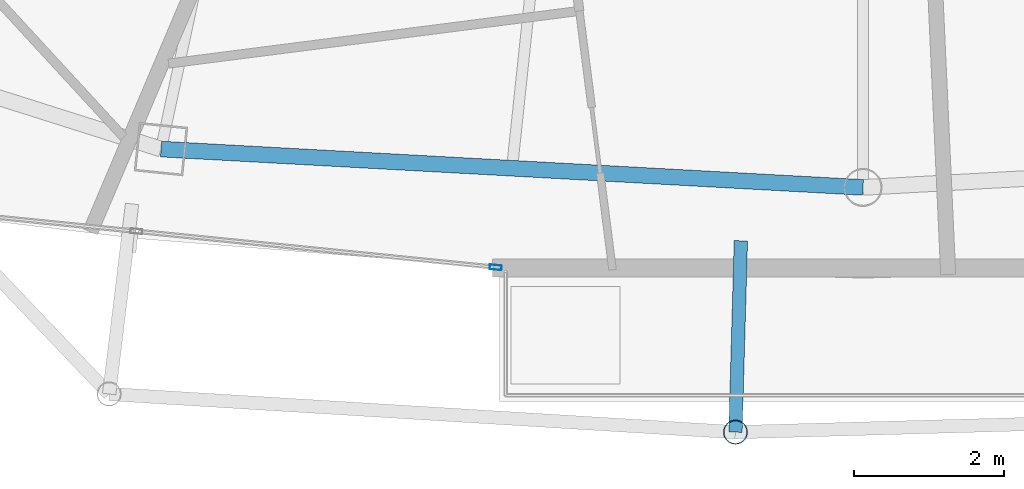
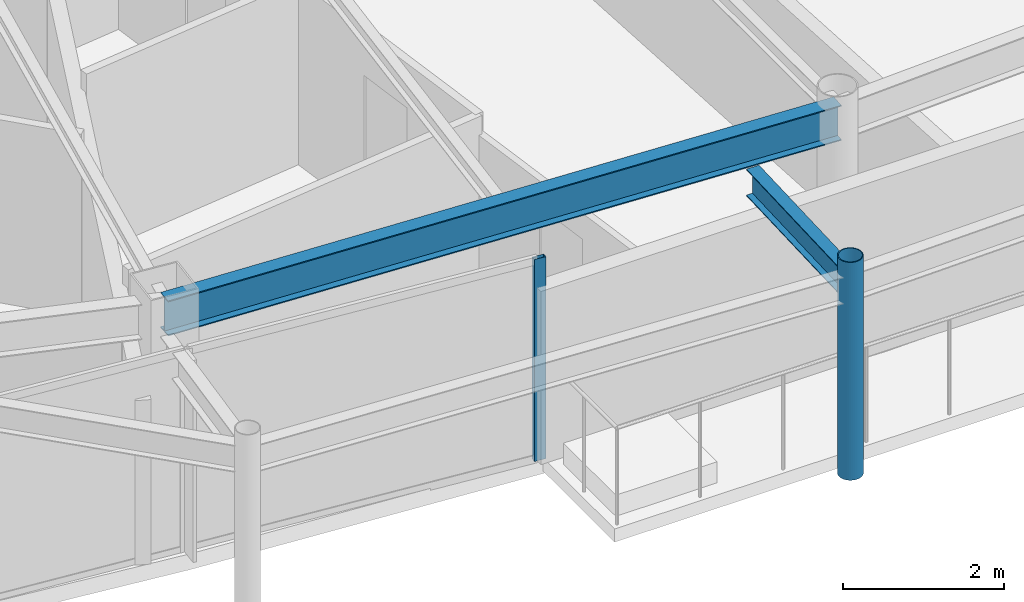
# One storey, part 7 of 30: 2 beams, 2 members, 1 element without a shape of its own.
"""IFC4 building model written with IfcOpenShell, lengths in metres."""

from ifc_helpers import new_model, si_unit, direction, frame, origin, origin_2d, place, context, subcontext, project, spatial, hollow_rectangle, hollow_circle, i_section, extrude, material, layer, layer_set, material_profile, profile_set, type_object, element, aggregate, save


model = new_model("IFC4")

# Units and contexts
model_context = context("Model", 3, precision=1e-05, world=origin(), true_north=direction((0.0, 1.0)))
body_context = subcontext(model_context, "Body", "Model", "MODEL_VIEW")
ifc_project = project(units=[si_unit("LENGTHUNIT", "METRE"), si_unit("AREAUNIT", "SQUARE_METRE"), si_unit("VOLUMEUNIT", "CUBIC_METRE"), si_unit("PLANEANGLEUNIT", "RADIAN"), si_unit("MASSUNIT", "GRAM", prefix="KILO")], contexts=[model_context])

# Site, building, storey
site_placement = place(None, origin())
site = spatial("IfcSite", under=ifc_project, at=site_placement, CompositionType="ELEMENT")
building_placement = place(site_placement, origin())
building = spatial("IfcBuilding", under=site, at=building_placement, Name="Orvanel Arch Residences", CompositionType="ELEMENT")
storey_placement = place(building_placement, frame((0.0, 0.0, 270.050048828125)))
storey = spatial("IfcBuildingStorey", under=building, at=storey_placement, Name="L77", CompositionType="ELEMENT", Elevation=270.050048828125)

# Curtain wall, member
ifc_material_1 = material(Name="Bronze-anodised aluminium AA6063-T6", Category="aluminium")
ifc_layer = layer(ifc_material_1, 0.175048828125)
ifc_layer_set = layer_set([ifc_layer], Name="Bronze-anodised aluminium AA6063-T6")
curtain_wall_type = type_object("IfcCurtainWallType", Name="CW4-HI-SYS", PredefinedType="NOTDEFINED", material=ifc_layer_set)
curtain_wall_placement = place(storey_placement, origin())
curtain_wall = element("IfcCurtainWall", 1, at=curtain_wall_placement, inside=storey, type_object=curtain_wall_type, Name="L77 CW4-HI-SYS Unitised Curtain Wall", PredefinedType="NOTDEFINED")
ifc_material_profile_1 = material_profile(ifc_material_1, hollow_rectangle(XDim=0.06494140625, YDim=0.159912109375, WallThickness=0.00390625, at=origin_2d()), Name="ALU160x65x4")
ifc_profile_set_1 = profile_set([ifc_material_profile_1], Name="Bronze-anodised aluminium AA6063-T6")
member_type_1 = type_object("IfcMemberType", Name="MUL-160x65", PredefinedType="MULLION", material=ifc_profile_set_1)
member_1_placement = place(storey_placement, frame((28.107666015625, 5.779296875, 0.0), z_axis=(0.0, 0.0, 1.0), x_axis=(0.100004397711, 0.99498699511, 0.0)))
member_1 = element("IfcMember", 2, at=member_1_placement, type_object=member_type_1, Name="CW-S4 mullion 3", PredefinedType="MULLION", context=body_context, shape_type="SweptSolid", body=[
    extrude(hollow_rectangle(XDim=0.06494140625, YDim=0.159912109375, WallThickness=0.00390625, at=origin_2d()), origin(), (0.0, 0.0, 1.0), 3.06005859375),
])
aggregate(curtain_wall, [member_1])

# Beams
ifc_material_2 = material(Name="Structural steel AS/NZS 3679.1 Grade 300 (300 MPa)", Category="steel")
ifc_material_profile_2 = material_profile(ifc_material_2, i_section(OverallWidth=0.177978515625, OverallDepth=0.406005859375, WebThickness=0.0078125, FlangeThickness=0.0126953125, at=origin_2d()), Name="410UB59.7")
ifc_profile_set_2 = profile_set([ifc_material_profile_2], Name="Structural steel AS/NZS 3679.1 Grade 300 (300 MPa)")
beam_type_1 = type_object("IfcBeamType", Name="OB-410UB-EXT", PredefinedType="SPANDREL", material=ifc_profile_set_2)
beam_1_placement = place(storey_placement, frame((31.373046875, 6.133056640625, 2.85693359375), z_axis=(-0.028242727986, -0.999601094595, 0.0), x_axis=(0.999601094595, -0.028242727986, 0.0)))
element("IfcBeam", 3, at=beam_1_placement, inside=storey, type_object=beam_type_1, Name="L77 Outer Frame Radial Tie Beam 06", PredefinedType="SPANDREL", context=body_context, shape_type="SweptSolid", body=[
    extrude(i_section(OverallWidth=0.177978515625, OverallDepth=0.406005859375, WebThickness=0.0078125, FlangeThickness=0.0126953125, at=origin_2d()), origin(), (0.0, 0.0, 1.0), 2.550048828125),
])
ifc_material_profile_3 = material_profile(ifc_material_2, i_section(OverallWidth=0.208984375, OverallDepth=0.532958984375, WebThickness=0.01025390625, FlangeThickness=0.015625, at=origin_2d()), Name="530UB92.4")
ifc_profile_set_3 = profile_set([ifc_material_profile_3], Name="Structural steel AS/NZS 3679.1 Grade 300 (300 MPa)")
beam_type_2 = type_object("IfcBeamType", Name="SP-530UB", PredefinedType="SPANDREL", material=ifc_profile_set_3)
beam_2_placement = place(storey_placement, frame((23.64892578125, 7.35498046875, 2.7939453125), z_axis=(0.998510315598, -0.054563262768, 0.0), x_axis=(0.054563262768, 0.998510315598, 0.0)))
element("IfcBeam", 4, at=beam_2_placement, inside=storey, type_object=beam_type_2, Name="L77 Perimeter Spandrel Beam 03", PredefinedType="SPANDREL", context=body_context, shape_type="SweptSolid", body=[
    extrude(i_section(OverallWidth=0.208984375, OverallDepth=0.532958984375, WebThickness=0.01025390625, FlangeThickness=0.015625, at=origin_2d()), origin(), (0.0, 0.0, 1.0), 9.364990234375),
])

# Member
ifc_material_3 = material(Name="Structural steel AS/NZS 1163 C350L0 (Grade 350)", Category="steel")
ifc_material_profile_4 = material_profile(ifc_material_3, hollow_circle(Radius=0.162109375, WallThickness=0.0126953125, at=origin_2d()), Name="CHS324x12.7")
ifc_profile_set_4 = profile_set([ifc_material_profile_4], Name="Structural steel AS/NZS 1163 C350L0 (Grade 350)")
member_type_2 = type_object("IfcMemberType", Name="ST-324CHS-EXT", PredefinedType="STRUT", material=ifc_profile_set_4)
member_2_placement = place(storey_placement, frame((31.301025390625, 3.583984375, 0.0), z_axis=(0.0, 0.0, 1.0), x_axis=(1.0, 0.0, 0.0)))
element("IfcMember", 5, at=member_2_placement, inside=storey, type_object=member_type_2, Name="L77 Outer Perimeter Frame Post 06", PredefinedType="STRUT", context=body_context, shape_type="SweptSolid", body=[
    extrude(hollow_circle(Radius=0.162109375, WallThickness=0.0126953125, at=origin_2d()), origin(), (0.0, 0.0, 1.0), 3.300048828125),
])

save(model, "model.ifc")
